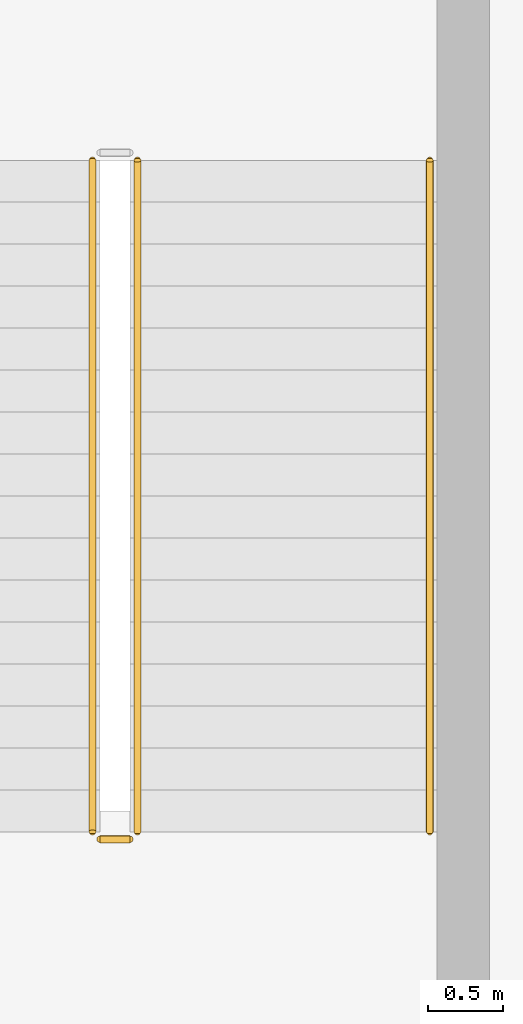
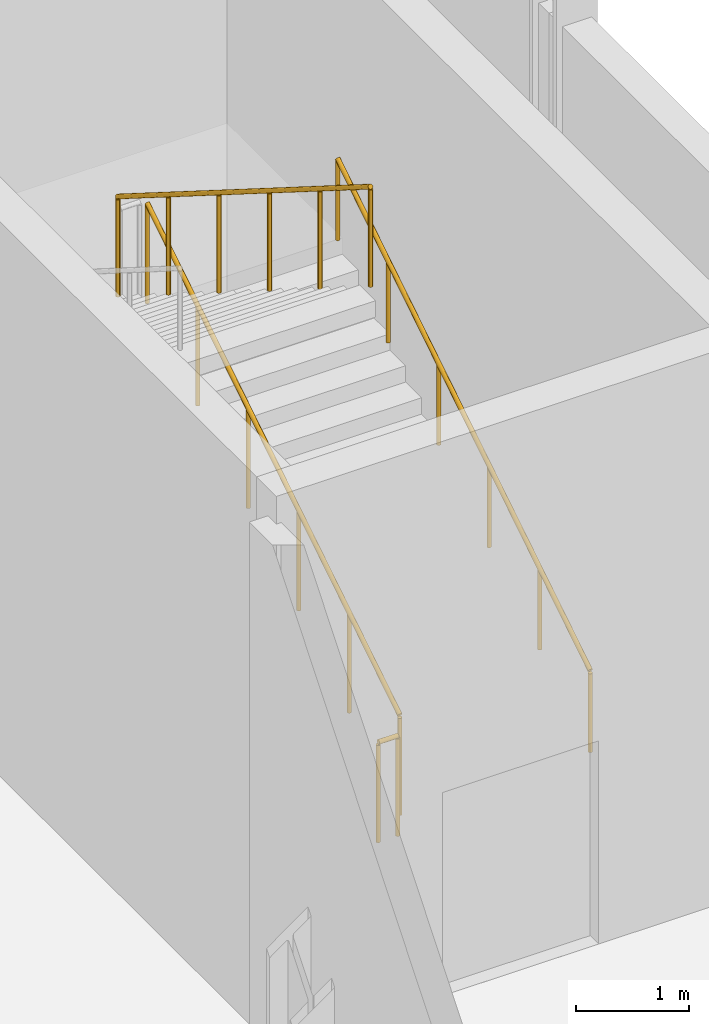
# One storey, part 82 of 84: 4 railings.
"""IFC4 building model written with IfcOpenShell, lengths in metres."""

import ifcopenshell
import ifcopenshell.guid

model = None  # the IFC model being written
_history = None  # IfcOwnerHistory: only IFC2X3 demands one
_inside = {}  # id of a spatial element -> (the spatial element, [elements in it])
_under = {}  # id of a project, library or spatial element -> (it, [spatial elements below it])
_declared = {}  # id of a project -> (the project, [libraries it declares])
_typed = {}  # id of a type object -> (the type object, [elements of that type])
_made_of = {}  # id of a material, layer set ... -> (it, [elements and type objects made of it])


def new_model(schema):
    """Start an empty IFC model of exactly this schema.

    Asked for "IFC4X3", IfcOpenShell would pick the latest addendum, in which some entities
    have other attributes; the version numbers below select the first issue.
    IFC2X3 requires an IfcOwnerHistory on every rooted entity: one is made here for all.
    """
    global model, _history
    if schema == "IFC4X3":
        model = ifcopenshell.file(schema_version=(4, 3, 0, 0))
    else:
        model = ifcopenshell.file(schema=schema)
    _inside.clear()
    _under.clear()
    _declared.clear()
    _typed.clear()
    _made_of.clear()
    _history = None
    if model.schema == "IFC2X3":
        org = make("IfcOrganization", Name="unknown")
        user = make(
            "IfcPersonAndOrganization",
            ThePerson=make("IfcPerson", FamilyName="unknown"),
            TheOrganization=org,
        )
        app = make(
            "IfcApplication",
            ApplicationDeveloper=org,
            Version="unknown",
            ApplicationFullName="unknown",
            ApplicationIdentifier="unknown",
        )
        _history = make(
            "IfcOwnerHistory",
            OwningUser=user,
            OwningApplication=app,
            ChangeAction="ADDED",
            CreationDate=0,
        )
    return model


def make(cls, **values):
    """One entity of the class cls with the attributes given. An attribute that is None is left unset."""
    return model.create_entity(
        cls, **{name: value for name, value in values.items() if value is not None}
    )


def rooted(cls, **values):
    """An entity with a GlobalId (a new one), such as an element, a storey or a relation."""
    return make(cls, GlobalId=ifcopenshell.guid.new(), OwnerHistory=_history, **values)


def si_unit(unit_type, name, prefix=None):
    """IfcSIUnit, for example si_unit("LENGTHUNIT", "METRE", prefix="MILLI")."""
    return make("IfcSIUnit", UnitType=unit_type, Prefix=prefix, Name=name)


def assignment(units):
    """IfcUnitAssignment: the units of a project."""
    return None if units is None else make("IfcUnitAssignment", Units=units)


def point(xyz):
    """IfcCartesianPoint."""
    return None if xyz is None else make("IfcCartesianPoint", Coordinates=xyz)


def direction(xyz):
    """IfcDirection."""
    return None if xyz is None else make("IfcDirection", DirectionRatios=xyz)


def frame(location, z_axis=None, x_axis=None):
    """IfcAxis2Placement3D, a coordinate frame: its origin and axes. An axis left out is left unset."""
    return make(
        "IfcAxis2Placement3D",
        Location=point(location),
        Axis=direction(z_axis),
        RefDirection=direction(x_axis),
    )


def frame_2d(location, x_axis=None):
    """IfcAxis2Placement2D, a coordinate frame in the plane: its origin and x axis."""
    return make(
        "IfcAxis2Placement2D", Location=point(location), RefDirection=direction(x_axis)
    )


def origin():
    """The frame at (0, 0, 0) with its axes left unset."""
    return frame((0.0, 0.0, 0.0))


def origin_2d():
    """The frame at (0, 0) in the plane with its x axis left unset."""
    return frame_2d((0.0, 0.0))


def place(relative_to, where):
    """IfcLocalPlacement: puts the frame where relative to a parent placement (None: the world)."""
    return make(
        "IfcLocalPlacement", PlacementRelTo=relative_to, RelativePlacement=where
    )


def context(
    kind, dimensions, precision=None, world=None, true_north=None, identifier=None
):
    """IfcGeometricRepresentationContext, for example the 3D "Model" context."""
    return make(
        "IfcGeometricRepresentationContext",
        ContextIdentifier=identifier,
        ContextType=kind,
        CoordinateSpaceDimension=dimensions,
        Precision=precision,
        WorldCoordinateSystem=world,
        TrueNorth=true_north,
    )


def subcontext(parent, identifier, kind, view, scale=None):
    """IfcGeometricRepresentationSubContext, for example "Body" below "Model"."""
    return make(
        "IfcGeometricRepresentationSubContext",
        ContextIdentifier=identifier,
        ContextType=kind,
        ParentContext=parent,
        TargetScale=scale,
        TargetView=view,
    )


def project(units=None, contexts=None):
    """IfcProject with its units and contexts."""
    return rooted(
        "IfcProject",
        Name="project",
        RepresentationContexts=contexts,
        UnitsInContext=assignment(units),
    )


def spatial(cls, under=None, at=None, **own):
    """A site, building, storey or space (cls), placed at a placement, below another one or the project."""
    s = rooted(cls, ObjectPlacement=at, **own)
    if under is not None:
        _under.setdefault(under.id(), (under, []))[1].append(s)
    return s


def profile(cls, at=None, kind="AREA", **sizes):
    """A parametric profile (cls). Its sizes go by their IFC names, for example OverallWidth=200.0."""
    return make(cls, ProfileType=kind, Position=at, **sizes)


def circle(**sizes):
    """IfcCircleProfileDef."""
    return profile("IfcCircleProfileDef", **sizes)


def extrude(swept, where, along, depth):
    """IfcExtrudedAreaSolid: the profile swept, set in the frame where, extruded along a direction by depth."""
    return make(
        "IfcExtrudedAreaSolid",
        SweptArea=swept,
        Position=where,
        ExtrudedDirection=direction(along),
        Depth=depth,
    )


def shape(context_of_items, identifier, shape_type, items):
    """IfcShapeRepresentation: the items that make up one representation, for example the "Body"."""
    return make(
        "IfcShapeRepresentation",
        ContextOfItems=context_of_items,
        RepresentationIdentifier=identifier,
        RepresentationType=shape_type,
        Items=items,
    )


def material(Name=None, Category=None):
    """IfcMaterial."""
    return make("IfcMaterial", Name=Name, Category=Category)


def made_of(thing, what):
    """Note that an element or type object is made of a material, layer set ...; save() writes the relation."""
    if what is not None:
        _made_of.setdefault(what.id(), (what, []))[1].append(thing)
    return thing


def type_object(cls, material=None, **own):
    """A type object (cls), such as IfcWallType, which elements share."""
    return made_of(rooted(cls, **own), material)


def element(
    cls,
    number,
    at=None,
    inside=None,
    cuts=None,
    type_object=None,
    material=None,
    context=None,
    identifier="Body",
    shape_type=None,
    held_by="IfcProductDefinitionShape",
    body=None,
    shapes=None,
    **own,
):
    """One element of the class cls, such as IfcWall. Its Tag is "e" and its number.

    at: its placement. inside: the storey or other place that contains it. cuts: it is an
    opening in that element (IfcRelVoidsElement). A single representation is given by context,
    identifier, shape_type and body (its items); several are given by shapes. held_by: the class
    of the entity that holds the representations. save() writes the other relations.
    """
    e = rooted(cls, Tag="e%d" % number, ObjectPlacement=at, **own)
    if body is not None:
        shapes = [shape(context, identifier, shape_type, body)]
    if shapes is not None:
        e.Representation = make(held_by, Representations=shapes)
    if inside is not None:
        _inside.setdefault(inside.id(), (inside, []))[1].append(e)
    if cuts is not None:
        rooted(
            "IfcRelVoidsElement", RelatingBuildingElement=cuts, RelatedOpeningElement=e
        )
    if type_object is not None:
        _typed.setdefault(type_object.id(), (type_object, []))[1].append(e)
    return made_of(e, material)


def aggregate(whole, parts):
    """IfcRelAggregates: a whole, such as a stair, and the parts it consists of."""
    return rooted("IfcRelAggregates", RelatingObject=whole, RelatedObjects=parts)


def save(model, path):
    """Write the relations noted so far, then the file.

    IfcRelAggregates (storeys below a building ...), IfcRelContainedInSpatialStructure (elements
    in a storey), IfcRelDefinesByType, IfcRelAssociatesMaterial and IfcRelDeclares: one each for
    every whole, place, type object, material and project.
    """
    for whole, parts in _under.values():
        aggregate(whole, parts)
    for where, things in _inside.values():
        rooted(
            "IfcRelContainedInSpatialStructure",
            RelatedElements=things,
            RelatingStructure=where,
        )
    for kind, things in _typed.values():
        rooted("IfcRelDefinesByType", RelatedObjects=things, RelatingType=kind)
    for what, things in _made_of.values():
        rooted("IfcRelAssociatesMaterial", RelatedObjects=things, RelatingMaterial=what)
    for by, libraries in _declared.values():
        rooted("IfcRelDeclares", RelatingContext=by, RelatedDefinitions=libraries)
    model.write(path)


model = new_model("IFC4")

# Units and contexts
model_context = context("Model", 3, precision=1e-05, world=origin(), true_north=direction((0.0, 1.0)))
body_context = subcontext(model_context, "Body", "Model", "MODEL_VIEW")
ifc_project = project(units=[si_unit("LENGTHUNIT", "METRE"), si_unit("AREAUNIT", "SQUARE_METRE"), si_unit("VOLUMEUNIT", "CUBIC_METRE"), si_unit("PLANEANGLEUNIT", "RADIAN"), si_unit("MASSUNIT", "GRAM", prefix="KILO")], contexts=[model_context])

# Site, building, storey
site_placement = place(None, origin())
site = spatial("IfcSite", under=ifc_project, at=site_placement, CompositionType="ELEMENT")
building_placement = place(site_placement, origin())
building = spatial("IfcBuilding", under=site, at=building_placement, Name="Sefraquen Railside Congress Hotel", CompositionType="ELEMENT")
storey_placement = place(building_placement, origin())
storey = spatial("IfcBuildingStorey", under=building, at=storey_placement, Name="L00", CompositionType="ELEMENT", Elevation=0.0)

# Railings
ifc_material = material(Name="Patinated wrought architectural bronze", Category="metal")
railing_type_1 = type_object("IfcRailingType", Name="TRL-BAL-110", PredefinedType="BALUSTRADE", material=ifc_material)
railing_1_placement = place(storey_placement, frame((168.10009765625, 67.14990234375, 0.176513671875)))
element("IfcRailing", 1, at=railing_1_placement, inside=storey, type_object=railing_type_1, Name="L00 ST-B02 stair guard 1", PredefinedType="BALUSTRADE", context=body_context, shape_type="SweptSolid", body=[
    extrude(circle(Radius=0.02392578125, at=origin_2d()), frame((0.0, 0.0, 1.076171875), z_axis=(0.0, 0.845997938375, 0.533186166611), x_axis=(-1.0, 0.0, 0.0)), (0.0, 0.0, 1.0), 5.29541015625),
    extrude(circle(Radius=0.02099609375, at=origin_2d()), origin(), (0.0, 0.0, 1.0), 1.052001953125),
    extrude(circle(Radius=0.02099609375, at=origin_2d()), frame((0.0, 0.89599609375, 0.564697265625)), (0.0, 0.0, 1.0), 1.052001953125),
    extrude(circle(Radius=0.02099609375, at=origin_2d()), frame((0.0, 1.7919921875, 1.12939453125)), (0.0, 0.0, 1.0), 1.052001953125),
    extrude(circle(Radius=0.02099609375, at=origin_2d()), frame((0.0, 2.68798828125, 1.694091796875)), (0.0, 0.0, 1.0), 1.052001953125),
    extrude(circle(Radius=0.02099609375, at=origin_2d()), frame((0.0, 3.583984375, 2.2587890625)), (0.0, 0.0, 1.0), 1.052001953125),
    extrude(circle(Radius=0.02099609375, at=origin_2d()), frame((0.0, 4.47998046875, 2.823486328125)), (0.0, 0.0, 1.0), 1.052001953125),
])
railing_2_placement = place(storey_placement, frame((167.800048828125, 71.6298828125, 3.176513671875)))
element("IfcRailing", 2, at=railing_2_placement, inside=storey, type_object=railing_type_1, Name="L00 ST-B02 stair guard 3", PredefinedType="BALUSTRADE", context=body_context, shape_type="SweptSolid", body=[
    extrude(circle(Radius=0.02392578125, at=origin_2d()), frame((0.0, 0.0, 1.076171875), z_axis=(0.0, -0.845997938375, 0.533186166611), x_axis=(1.0, 0.0, 0.0)), (0.0, 0.0, 1.0), 5.29541015625),
    extrude(circle(Radius=0.02099609375, at=origin_2d()), origin(), (0.0, 0.0, 1.0), 1.052001953125),
    extrude(circle(Radius=0.02099609375, at=origin_2d()), frame((0.0, -0.89599609375, 0.564697265625)), (0.0, 0.0, 1.0), 1.052001953125),
    extrude(circle(Radius=0.02099609375, at=origin_2d()), frame((0.0, -1.7919921875, 1.12939453125)), (0.0, 0.0, 1.0), 1.052001953125),
    extrude(circle(Radius=0.02099609375, at=origin_2d()), frame((0.0, -2.68798828125, 1.694091796875)), (0.0, 0.0, 1.0), 1.052001953125),
    extrude(circle(Radius=0.02099609375, at=origin_2d()), frame((0.0, -3.583984375, 2.2587890625)), (0.0, 0.0, 1.0), 1.052001953125),
    extrude(circle(Radius=0.02099609375, at=origin_2d()), frame((0.0, -4.47998046875, 2.823486328125)), (0.0, 0.0, 1.0), 1.052001953125),
])
railing_3_placement = place(storey_placement, frame((168.050048828125, 67.10009765625, 0.0)))
element("IfcRailing", 3, at=railing_3_placement, inside=storey, type_object=railing_type_1, Name="L00 ST-B02 stair guard 4", PredefinedType="BALUSTRADE", context=body_context, shape_type="SweptSolid", body=[
    extrude(circle(Radius=0.02392578125, at=origin_2d()), frame((0.0, 0.0, 1.076171875), z_axis=(-1.0, 0.0, 0.0), x_axis=(0.0, -1.0, 0.0)), (0.0, 0.0, 1.0), 0.199951171875),
    extrude(circle(Radius=0.02099609375, at=origin_2d()), origin(), (0.0, 0.0, 1.0), 1.052001953125),
    extrude(circle(Radius=0.02099609375, at=origin_2d()), frame((-0.199951171875, 0.0, 0.0)), (0.0, 0.0, 1.0), 1.052001953125),
])
railing_type_2 = type_object("IfcRailingType", Name="TRL-HR-090", PredefinedType="HANDRAIL", material=ifc_material)
railing_4_placement = place(storey_placement, frame((170.050048828125, 67.14990234375, 0.176513671875)))
element("IfcRailing", 4, at=railing_4_placement, inside=storey, type_object=railing_type_2, Name="L00 ST-B02 stair handrail 1", PredefinedType="HANDRAIL", context=body_context, shape_type="SweptSolid", body=[
    extrude(circle(Radius=0.02392578125, at=origin_2d()), frame((0.0, 0.0, 0.8759765625), z_axis=(0.0, 0.845997938375, 0.533186166611), x_axis=(-1.0, 0.0, 0.0)), (0.0, 0.0, 1.0), 5.29541015625),
    extrude(circle(Radius=0.02099609375, at=origin_2d()), origin(), (0.0, 0.0, 1.0), 0.851806640625),
    extrude(circle(Radius=0.02099609375, at=origin_2d()), frame((0.0, 0.89599609375, 0.564697265625)), (0.0, 0.0, 1.0), 0.851806640625),
    extrude(circle(Radius=0.02099609375, at=origin_2d()), frame((0.0, 1.7919921875, 1.12939453125)), (0.0, 0.0, 1.0), 0.851806640625),
    extrude(circle(Radius=0.02099609375, at=origin_2d()), frame((0.0, 2.68798828125, 1.694091796875)), (0.0, 0.0, 1.0), 0.851806640625),
    extrude(circle(Radius=0.02099609375, at=origin_2d()), frame((0.0, 3.583984375, 2.2587890625)), (0.0, 0.0, 1.0), 0.851806640625),
    extrude(circle(Radius=0.02099609375, at=origin_2d()), frame((0.0, 4.47998046875, 2.823486328125)), (0.0, 0.0, 1.0), 0.851806640625),
])

save(model, "model.ifc")
